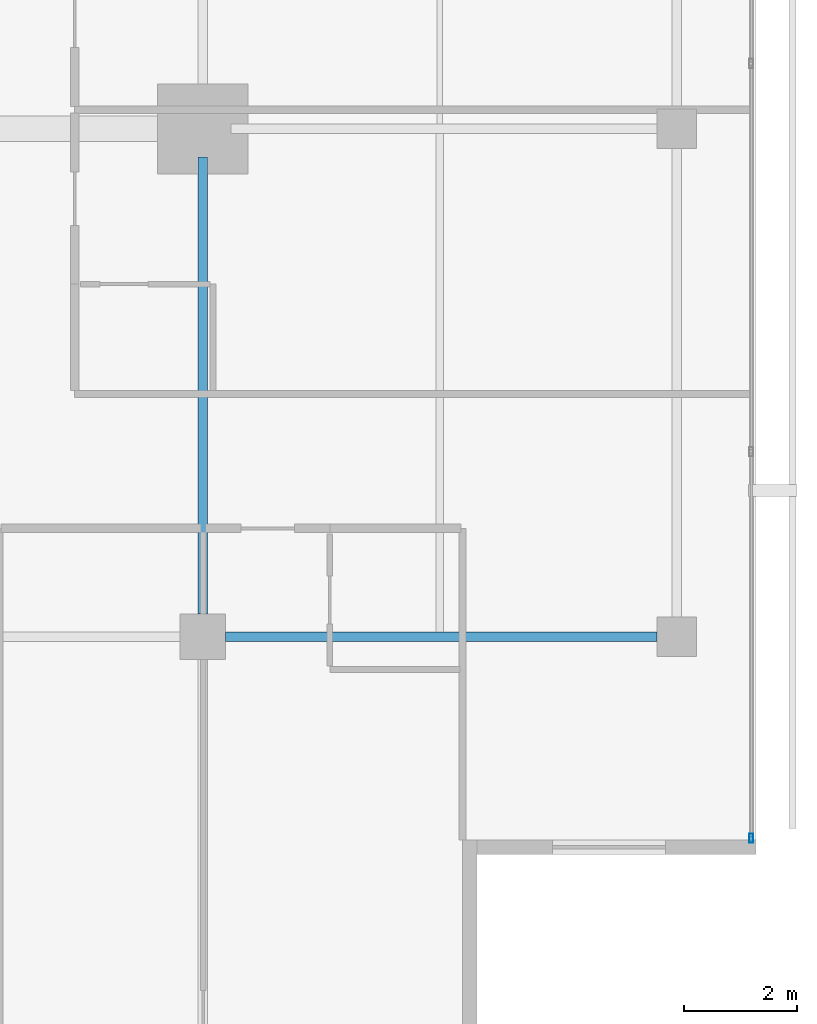
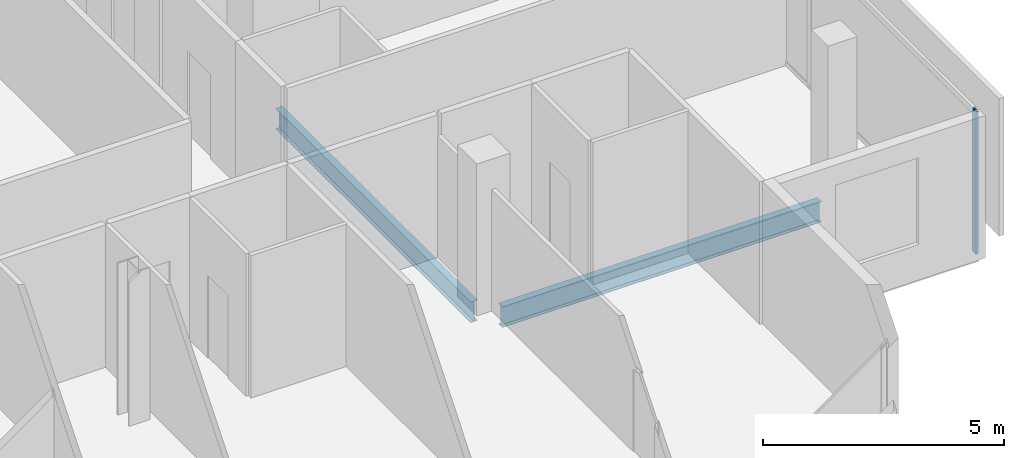
# One storey, part 11 of 26: 2 beams, 1 member, 1 element without a shape of its own.
"""IFC4 building model written with IfcOpenShell, lengths in metres."""

from ifc_helpers import new_model, si_unit, direction, frame, origin, origin_2d, place, context, subcontext, project, spatial, hollow_rectangle, i_section, extrude, material, layer, layer_set, material_profile, profile_set, type_object, element, aggregate, save


model = new_model("IFC4")

# Units and contexts
model_context = context("Model", 3, precision=1e-05, world=origin(), true_north=direction((0.0, 1.0)))
body_context = subcontext(model_context, "Body", "Model", "MODEL_VIEW")
ifc_project = project(units=[si_unit("LENGTHUNIT", "METRE"), si_unit("AREAUNIT", "SQUARE_METRE"), si_unit("VOLUMEUNIT", "CUBIC_METRE"), si_unit("PLANEANGLEUNIT", "RADIAN"), si_unit("MASSUNIT", "GRAM", prefix="KILO")], contexts=[model_context])

# Site, building, storey
site_placement = place(None, origin())
site = spatial("IfcSite", under=ifc_project, at=site_placement, CompositionType="ELEMENT")
building_placement = place(site_placement, origin())
building = spatial("IfcBuilding", under=site, at=building_placement, Name="Maruvema Waterfront Hotel and Observation Tower", CompositionType="ELEMENT")
storey_placement = place(building_placement, frame((0.0, 0.0, 289.449951171875)))
storey = spatial("IfcBuildingStorey", under=building, at=storey_placement, Name="L71", CompositionType="ELEMENT", Elevation=289.449951171875)

# Curtain wall, member
ifc_material_1 = material(Name="Anodised bronze aluminium and solar-control low-E IGU", Category="aluminium")
ifc_layer = layer(ifc_material_1, 0.159912109375, Name="Zone 3 Champagne Inner Thermal Curtain Wall System CW-04")
ifc_layer_set = layer_set([ifc_layer], Name="Anodised bronze aluminium and solar-control low-E IGU")
curtain_wall_type = type_object("IfcCurtainWallType", Name="Zone 3 Champagne Inner Thermal Curtain Wall System CW-04", PredefinedType="USERDEFINED", material=ifc_layer_set)
curtain_wall_placement = place(storey_placement, origin())
curtain_wall = element("IfcCurtainWall", 1, at=curtain_wall_placement, inside=storey, type_object=curtain_wall_type, Name="L71 Curtain Wall CW-L71-E", ObjectType="UNITISED CURTAIN WALL", PredefinedType="USERDEFINED")
ifc_material_2 = material(Name="Anodised architectural bronze aluminium", Category="aluminium")
ifc_material_profile_1 = material_profile(ifc_material_2, hollow_rectangle(XDim=0.06494140625, YDim=0.1650390625, WallThickness=0.00390625, at=origin_2d()), Name="ALU-M65x165")
ifc_profile_set_1 = profile_set([ifc_material_profile_1], Name="Anodised architectural bronze aluminium")
member_type = type_object("IfcMemberType", Name="Curtain Wall Primary Mullion ALU-M65x165", PredefinedType="MULLION", material=ifc_profile_set_1)
member_placement = place(storey_placement, frame((60.1201171875, 14.429931640625, 0.0), z_axis=(0.0, 0.0, 1.0), x_axis=(-1.0, 0.0, 0.0)))
member = element("IfcMember", 2, at=member_placement, type_object=member_type, Name="CW-04 mullion 1", PredefinedType="MULLION", context=body_context, shape_type="SweptSolid", body=[
    extrude(hollow_rectangle(XDim=0.06494140625, YDim=0.1650390625, WallThickness=0.00390625, at=origin_2d()), origin(), (0.0, 0.0, 1.0), 3.610107421875),
])
aggregate(curtain_wall, [member])

# Beams
ifc_material_3 = material(Name="Steel ASTM A572 Grade 50", Category="steel")
ifc_material_profile_2 = material_profile(ifc_material_3, i_section(OverallWidth=0.166015625, OverallDepth=0.529052734375, WebThickness=0.009765625, FlangeThickness=0.013671875, FilletRadius=0.014892578125, at=origin_2d()), Name="W530x74.0")
ifc_profile_set_2 = profile_set([ifc_material_profile_2], Name="Steel ASTM A572 Grade 50")
beam_type = type_object("IfcBeamType", Name="Primary Floor Girder W530x74.0", PredefinedType="BEAM", material=ifc_profile_set_2)
beam_1_placement = place(storey_placement, frame((50.800048828125, 18.0, -0.50439453125), z_axis=(1.0, 0.0, 0.0), x_axis=(0.0, 1.0, 0.0)))
element("IfcBeam", 3, at=beam_1_placement, inside=storey, type_object=beam_type, Name="L71 Floor Girder EW-08", PredefinedType="BEAM", context=body_context, shape_type="SweptSolid", body=[
    extrude(i_section(OverallWidth=0.166015625, OverallDepth=0.529052734375, WebThickness=0.009765625, FlangeThickness=0.013671875, FilletRadius=0.014892578125, at=origin_2d()), origin(), (0.0, 0.0, 1.0), 7.64990234375),
])
beam_2_placement = place(storey_placement, frame((50.39990234375, 18.39990234375, -0.50439453125), z_axis=(0.0, 1.0, 0.0), x_axis=(-1.0, 0.0, 0.0)))
element("IfcBeam", 4, at=beam_2_placement, inside=storey, type_object=beam_type, Name="L71 Floor Girder NS-13", PredefinedType="BEAM", context=body_context, shape_type="SweptSolid", body=[
    extrude(i_section(OverallWidth=0.166015625, OverallDepth=0.529052734375, WebThickness=0.009765625, FlangeThickness=0.013671875, FilletRadius=0.014892578125, at=origin_2d()), origin(), (0.0, 0.0, 1.0), 8.10009765625),
])

save(model, "model.ifc")
